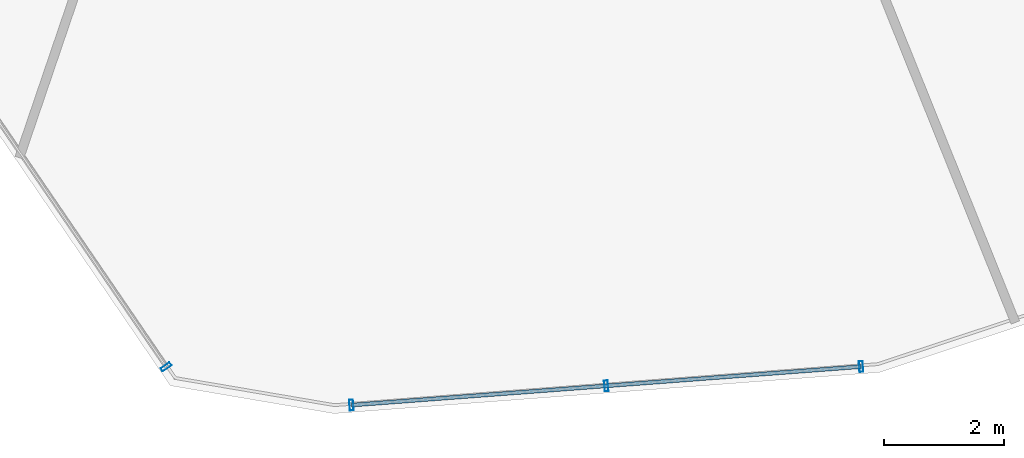
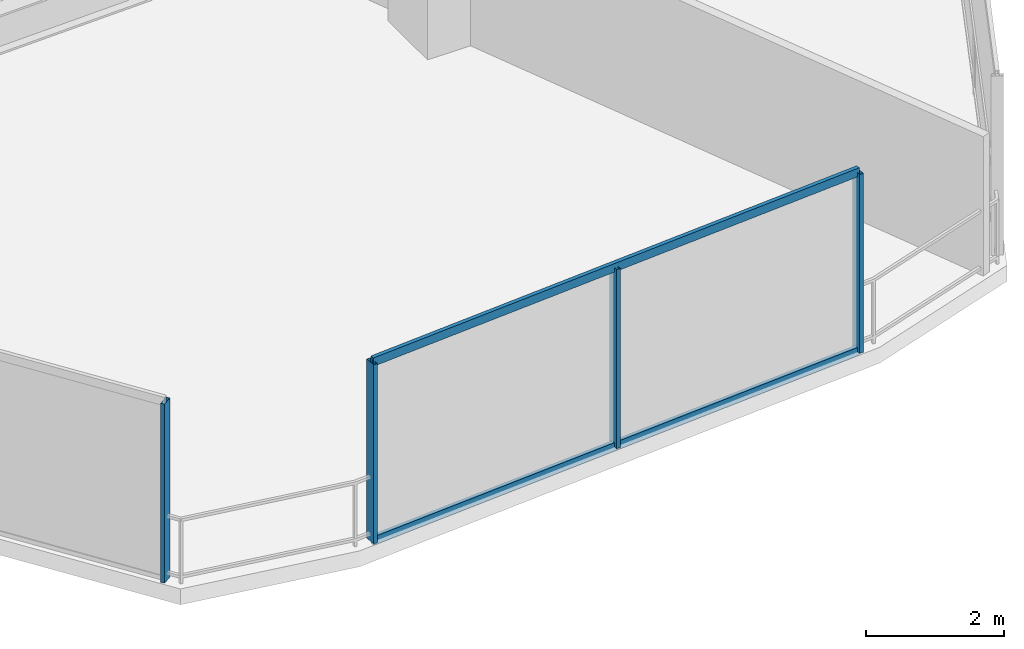
# One storey, part 4 of 30: 6 members, 2 elements without a shape of their own.
"""IFC4 building model written with IfcOpenShell, lengths in metres."""

from ifc_helpers import new_model, si_unit, direction, frame, origin, origin_2d, place, context, subcontext, project, spatial, hollow_rectangle, extrude, material, layer, layer_set, material_profile, profile_set, type_object, element, aggregate, save


model = new_model("IFC4")

# Units and contexts
model_context = context("Model", 3, precision=1e-05, world=origin(), true_north=direction((0.0, 1.0)))
body_context = subcontext(model_context, "Body", "Model", "MODEL_VIEW")
ifc_project = project(units=[si_unit("LENGTHUNIT", "METRE"), si_unit("AREAUNIT", "SQUARE_METRE"), si_unit("VOLUMEUNIT", "CUBIC_METRE"), si_unit("PLANEANGLEUNIT", "RADIAN"), si_unit("MASSUNIT", "GRAM", prefix="KILO")], contexts=[model_context])

# Site, building, storey
site_placement = place(None, origin())
site = spatial("IfcSite", under=ifc_project, at=site_placement, CompositionType="ELEMENT")
building_placement = place(site_placement, origin())
building = spatial("IfcBuilding", under=site, at=building_placement, Name="Qarnah Convention Tower", CompositionType="ELEMENT")
storey_placement = place(building_placement, frame((0.0, 0.0, 83.25)))
storey = spatial("IfcBuildingStorey", under=building, at=storey_placement, Name="L21", CompositionType="ELEMENT", Elevation=83.25)

# Curtain wall, member
ifc_material_1 = material(Name="Tempered Low-E dark glass", Category="glass")
ifc_layer = layer(ifc_material_1, 0.169921875)
ifc_layer_set = layer_set([ifc_layer], Name="Tempered Low-E dark glass")
curtain_wall_type = type_object("IfcCurtainWallType", Name="CWS-02", PredefinedType="NOTDEFINED", material=ifc_layer_set)
curtain_wall_1_placement = place(storey_placement, origin())
curtain_wall_1 = element("IfcCurtainWall", 1, at=curtain_wall_1_placement, inside=storey, type_object=curtain_wall_type, Name="L21 unitised curtain wall CW-L21-F3", PredefinedType="NOTDEFINED")
ifc_material_2 = material(Name="Black anodised aluminium", Category="aluminium")
ifc_material_profile_1 = material_profile(ifc_material_2, hollow_rectangle(XDim=0.06494140625, YDim=0.179931640625, WallThickness=0.00390625, at=origin_2d()), Name="MUL-65X180")
ifc_profile_set_1 = profile_set([ifc_material_profile_1], Name="Black anodised aluminium")
member_type_1 = type_object("IfcMemberType", Name="MUL-T2", PredefinedType="MULLION", material=ifc_profile_set_1)
member_1_placement = place(storey_placement, frame((32.6259765625, 1.839111328125, 0.0), z_axis=(0.0, 0.0, 1.0), x_axis=(-0.563812474561, 0.825902835404, 0.0)))
member_1 = element("IfcMember", 2, at=member_1_placement, type_object=member_type_1, Name="CW-L21-F3 mullion 1", PredefinedType="MULLION", context=body_context, shape_type="SweptSolid", body=[
    extrude(hollow_rectangle(XDim=0.06494140625, YDim=0.179931640625, WallThickness=0.00390625, at=origin_2d()), origin(), (0.0, 0.0, 1.0), 3.169921875),
])
aggregate(curtain_wall_1, [member_1])

# Curtain wall, members
curtain_wall_2_placement = place(storey_placement, origin())
curtain_wall_2 = element("IfcCurtainWall", 3, at=curtain_wall_2_placement, inside=storey, type_object=curtain_wall_type, Name="L21 unitised curtain wall CW-L21-F4", PredefinedType="NOTDEFINED")
member_2_placement = place(storey_placement, frame((44.22900390625, 1.843017578125, 0.0), z_axis=(0.0, 0.0, 1.0), x_axis=(-0.997156980474, -0.075352214914, 0.0)))
member_2 = element("IfcMember", 4, at=member_2_placement, type_object=member_type_1, Name="CW-L21-F4 mullion 1", PredefinedType="MULLION", context=body_context, shape_type="SweptSolid", body=[
    extrude(hollow_rectangle(XDim=0.06494140625, YDim=0.179931640625, WallThickness=0.00390625, at=origin_2d()), origin(), (0.0, 0.0, 1.0), 3.169921875),
])
member_3_placement = place(storey_placement, frame((39.974609375, 1.521484375, 0.0), z_axis=(0.0, 0.0, 1.0), x_axis=(-0.997156980474, -0.075352214914, 0.0)))
member_3 = element("IfcMember", 5, at=member_3_placement, type_object=member_type_1, Name="CW-L21-F4 mullion 2", PredefinedType="MULLION", context=body_context, shape_type="SweptSolid", body=[
    extrude(hollow_rectangle(XDim=0.06494140625, YDim=0.179931640625, WallThickness=0.00390625, at=origin_2d()), origin(), (0.0, 0.0, 1.0), 3.169921875),
])
member_4_placement = place(storey_placement, frame((35.719970703125, 1.199951171875, 0.0), z_axis=(0.0, 0.0, 1.0), x_axis=(-0.997156980474, -0.075352214914, 0.0)))
member_4 = element("IfcMember", 6, at=member_4_placement, type_object=member_type_1, Name="CW-L21-F4 mullion 3", PredefinedType="MULLION", context=body_context, shape_type="SweptSolid", body=[
    extrude(hollow_rectangle(XDim=0.06494140625, YDim=0.179931640625, WallThickness=0.00390625, at=origin_2d()), origin(), (0.0, 0.0, 1.0), 3.169921875),
])
ifc_material_profile_2 = material_profile(ifc_material_2, hollow_rectangle(XDim=0.06494140625, YDim=0.14990234375, WallThickness=0.00390625, at=origin_2d()), Name="TRN-65X150")
ifc_profile_set_2 = profile_set([ifc_material_profile_2], Name="Black anodised aluminium")
member_type_2 = type_object("IfcMemberType", Name="TRN-T2", PredefinedType="USERDEFINED", material=ifc_profile_set_2)
member_5_placement = place(storey_placement, frame((44.22900390625, 1.843017578125, 0.0), z_axis=(-0.997156418329, -0.07535965357, 0.0), x_axis=(0.07535965357, -0.997156418329, 0.0)))
member_5 = element("IfcMember", 7, at=member_5_placement, type_object=member_type_2, Name="CW-L21-F4 transom 1", ObjectType="TRANSOM", PredefinedType="USERDEFINED", context=body_context, shape_type="SweptSolid", body=[
    extrude(hollow_rectangle(XDim=0.06494140625, YDim=0.14990234375, WallThickness=0.00390625, at=origin_2d()), origin(), (0.0, 0.0, 1.0), 8.533203125),
])
member_6_placement = place(storey_placement, frame((44.22900390625, 1.843017578125, 3.169921875), z_axis=(-0.997156418329, -0.07535965357, 0.0), x_axis=(0.07535965357, -0.997156418329, 0.0)))
member_6 = element("IfcMember", 8, at=member_6_placement, type_object=member_type_2, Name="CW-L21-F4 transom 2", ObjectType="TRANSOM", PredefinedType="USERDEFINED", context=body_context, shape_type="SweptSolid", body=[
    extrude(hollow_rectangle(XDim=0.06494140625, YDim=0.14990234375, WallThickness=0.00390625, at=origin_2d()), origin(), (0.0, 0.0, 1.0), 8.533203125),
])
aggregate(curtain_wall_2, [member_2, member_3, member_4, member_5, member_6])

save(model, "model.ifc")
